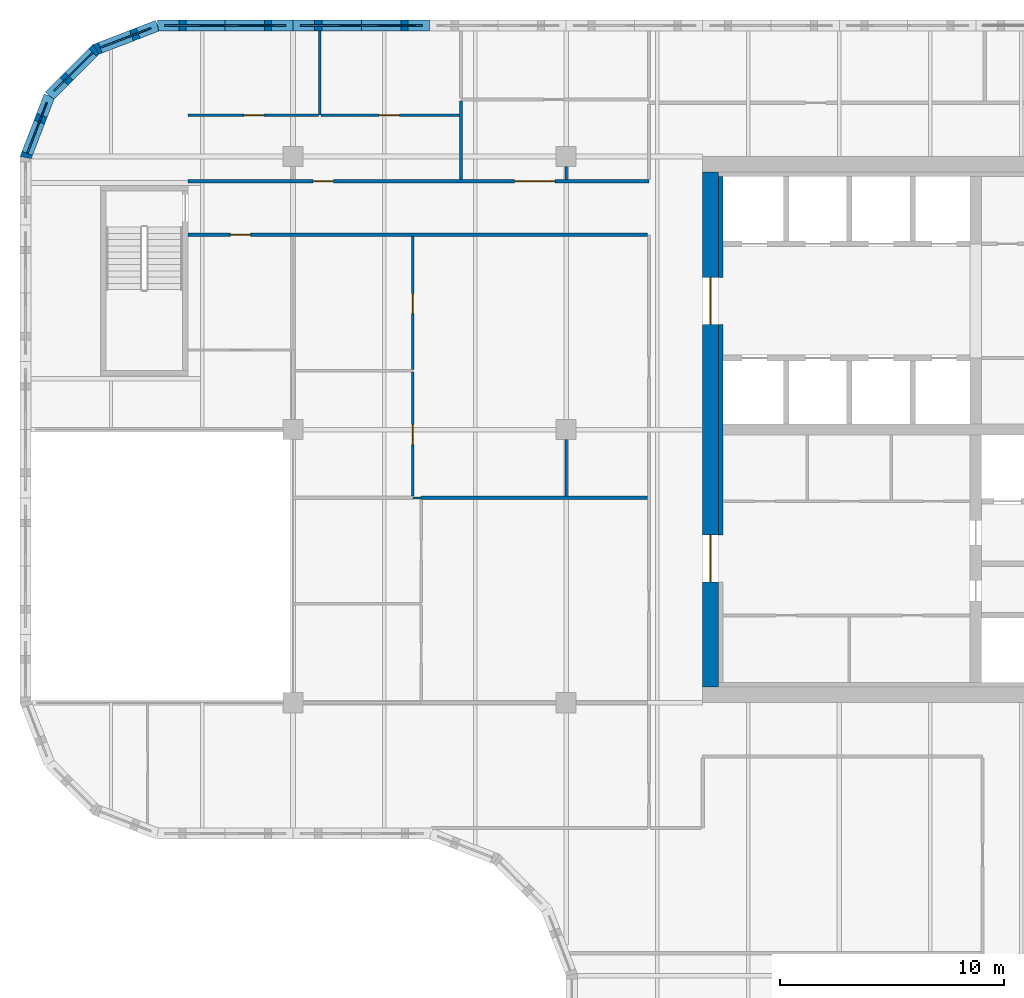
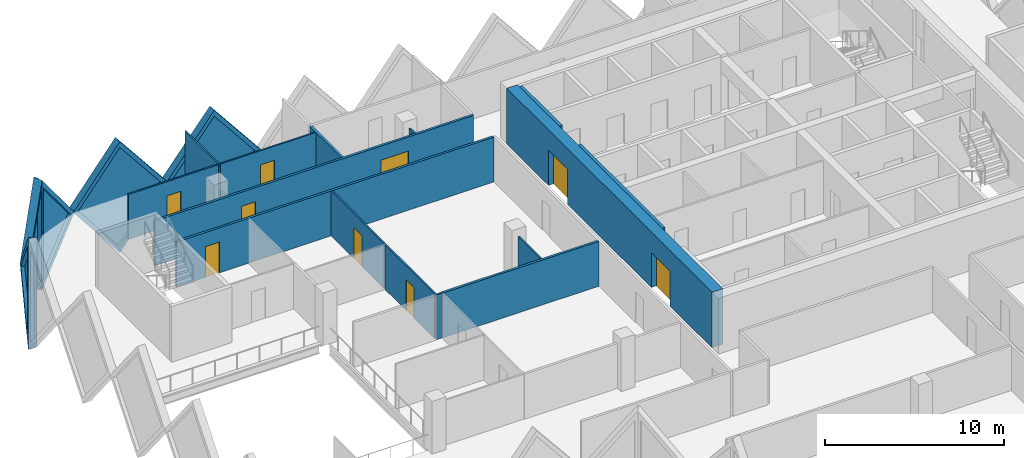
# One storey, part 7 of 12: 20 walls, 9 doors, 5 plates, 14 openings.
"""IFC4 building model written with IfcOpenShell, lengths in metres."""

from ifc_helpers import new_model, si_unit, direction, frame, frame_2d, origin, place, context, subcontext, project, spatial, polyline, rectangle, outline, extrude, faceted_brep, source, transform, mapped, material, layer, layer_set, type_object, element, fill, save


model = new_model("IFC4")

# Units and contexts
model_context = context("Model", 3, precision=1e-05, world=origin(), true_north=direction((0.0, 1.0)))
body_context = subcontext(model_context, "Body", "Model", "MODEL_VIEW")
ifc_project = project(units=[si_unit("LENGTHUNIT", "METRE"), si_unit("AREAUNIT", "SQUARE_METRE"), si_unit("VOLUMEUNIT", "CUBIC_METRE"), si_unit("PLANEANGLEUNIT", "RADIAN"), si_unit("MASSUNIT", "GRAM", prefix="KILO")], contexts=[model_context])

# Site, building, storey
site_placement = place(None, origin())
site = spatial("IfcSite", under=ifc_project, at=site_placement, CompositionType="ELEMENT")
building_placement = place(site_placement, origin())
building = spatial("IfcBuilding", under=site, at=building_placement, Name="Tessera Gate Towers", CompositionType="ELEMENT")
storey_placement = place(building_placement, frame((0.0, 0.0, 124.0)))
storey = spatial("IfcBuildingStorey", under=building, at=storey_placement, Name="L30", CompositionType="ELEMENT", Elevation=124.0)

# Wall, openings, doors
ifc_material_1 = material(Name="Concrete C60/75", Category="concrete")
ifc_layer_1 = layer(ifc_material_1, 0.699951171875)
ifc_layer_set_1 = layer_set([ifc_layer_1], Name="CORE SHEAR WALL 700 C60/75")
wall_type_1 = type_object("IfcWallType", Name="CORE SHEAR WALL 700 C60/75", PredefinedType="SHEAR", material=ifc_layer_set_1)
wall_1_placement = place(storey_placement, frame((30.85009765625, 25.10009765625, 0.0), z_axis=(0.0, 0.0, 1.0), x_axis=(0.0, 1.0, 0.0)))
wall_1 = element("IfcWall", 1, at=wall_1_placement, inside=storey, type_object=wall_type_1, Name="Core wall W L30", PredefinedType="SHEAR", context=body_context, shape_type="SweptSolid", body=[
    extrude(rectangle(XDim=23.0, YDim=0.699951171875, at=frame_2d((11.5, 0.0))), origin(), (0.0, 0.0, 1.0), 3.800048828125),
])
shared_shape_1 = source(origin(), body_context, "Body", "SweptSolid", [
    extrude(rectangle(XDim=2.10009765625, YDim=2.39990234375, at=frame_2d((1.050048828125, 1.199951171875))), frame((0.0, 0.35986328125, 0.0), z_axis=(0.0, -1.0, 0.0), x_axis=(1.0, 0.0, 0.0)), (0.0, 0.0, 1.0), 0.719970703125),
])
opening_1_placement = place(wall_1_placement, frame((4.699951171875, 0.0, 0.0)))
opening_1 = element("IfcOpeningElement", 2, at=opening_1_placement, cuts=wall_1, Name="Opening DD-T1-21-02", PredefinedType="OPENING", context=body_context, shape_type="MappedRepresentation", body=[
    mapped(shared_shape_1, transform((0.0, 0.0, 0.0), scale=1.0)),
])
opening_2_placement = place(wall_1_placement, frame((16.199951171875, 0.0, 0.0)))
opening_2 = element("IfcOpeningElement", 3, at=opening_2_placement, cuts=wall_1, Name="Opening DD-T1-21-03", PredefinedType="OPENING", context=body_context, shape_type="MappedRepresentation", body=[
    mapped(shared_shape_1, transform((0.0, 0.0, 0.0), scale=1.0)),
])
ifc_material_2 = material(Name="Hollow steel fire door", Category="steel")
door_type_1 = type_object("IfcDoorType", Name="CORE DOOR DD 2100x2400", OperationType="NOTDEFINED", PredefinedType="DOOR", material=ifc_material_2)
shared_shape_2 = source(origin(), body_context, "Body", "SweptSolid", [
    extrude(rectangle(XDim=2.10009765625, YDim=2.39990234375, at=frame_2d((1.050048828125, 1.199951171875))), frame((0.0, 0.02490234375, 0.0), z_axis=(0.0, -1.0, 0.0), x_axis=(1.0, 0.0, 0.0)), (0.0, 0.0, 1.0), 0.050048828125),
])
door_1_placement = place(opening_1_placement, origin())
door_1 = element("IfcDoor", 4, at=door_1_placement, inside=storey, type_object=door_type_1, Name="Core entrance door", OperationType="DOUBLE_DOOR_SINGLE_SWING", OverallHeight=2.39990234375, OverallWidth=2.10009765625, PredefinedType="DOOR", context=body_context, shape_type="MappedRepresentation", body=[
    mapped(shared_shape_2, transform((0.0, 0.0, 0.0), scale=1.0)),
])
fill(opening_1, door_1)
door_2_placement = place(opening_2_placement, origin())
door_2 = element("IfcDoor", 5, at=door_2_placement, inside=storey, type_object=door_type_1, Name="Core entrance door", OperationType="DOUBLE_DOOR_SINGLE_SWING", OverallHeight=2.39990234375, OverallWidth=2.10009765625, PredefinedType="DOOR", context=body_context, shape_type="MappedRepresentation", body=[
    mapped(shared_shape_2, transform((0.0, 0.0, 0.0), scale=1.0)),
])
fill(opening_2, door_2)

# Walls
ifc_material_3 = material(Name="Concrete C60/75", Category="concrete")
ifc_layer_2 = layer(ifc_material_3, 0.199951171875)
ifc_layer_set_2 = layer_set([ifc_layer_2], Name="CORE WALL THICKENING 200")
wall_type_2 = type_object("IfcWallType", Name="CORE WALL THICKENING 200", PredefinedType="SOLIDWALL", material=ifc_layer_set_2)
wall_2_placement = place(storey_placement, frame((31.300048828125, 31.89990234375, 0.0), z_axis=(0.0, 0.0, 1.0), x_axis=(0.0, 1.0, 0.0)))
element("IfcWall", 6, at=wall_2_placement, inside=storey, type_object=wall_type_2, Name="Core wall thickening W L30", PredefinedType="SOLIDWALL", context=body_context, shape_type="SweptSolid", body=[
    extrude(rectangle(XDim=9.400146484375, YDim=0.199951171875, at=frame_2d((4.7001953125, 0.0))), origin(), (0.0, 0.0, 1.0), 3.800048828125),
])
wall_3_placement = place(storey_placement, frame((31.300048828125, 43.39990234375, 0.0), z_axis=(0.0, 0.0, 1.0), x_axis=(0.0, 1.0, 0.0)))
element("IfcWall", 7, at=wall_3_placement, inside=storey, type_object=wall_type_2, Name="Core wall thickening W L30", PredefinedType="SOLIDWALL", context=body_context, shape_type="SweptSolid", body=[
    extrude(rectangle(XDim=4.5, YDim=0.199951171875, at=frame_2d((2.25, 0.0))), origin(), (0.0, 0.0, 1.0), 3.800048828125),
])

# Wall, opening, door
ifc_material_4 = material(Name="Gypsum board on steel studs, mineral wool", Category="steel")
ifc_layer_3 = layer(ifc_material_4, 0.14990234375)
ifc_layer_set_3 = layer_set([ifc_layer_3], Name="CORRIDOR WALL 150")
wall_type_3 = type_object("IfcWallType", Name="CORRIDOR WALL 150", PredefinedType="PARTITIONING", material=ifc_layer_set_3)
wall_4_placement = place(storey_placement, frame((28.02392578125, 45.300048828125, 0.0), z_axis=(0.0, 0.0, 1.0), x_axis=(-1.0, 0.0, 0.0)))
wall_4 = element("IfcWall", 8, at=wall_4_placement, inside=storey, type_object=wall_type_3, Name="T1-L30-PW-037", PredefinedType="PARTITIONING", context=body_context, shape_type="SweptSolid", body=[
    extrude(rectangle(XDim=20.52392578125, YDim=0.14990234375, at=frame_2d((10.261962890625, 0.0))), origin(), (0.0, 0.0, 1.0), 3.06689453125),
])
shared_shape_3 = source(origin(), body_context, "Body", "SweptSolid", [
    extrude(rectangle(XDim=0.89990234375, YDim=2.10009765625, at=frame_2d((0.449951171875, 1.050048828125))), frame((0.0, 0.0849609375, 0.0), z_axis=(0.0, -1.0, 0.0), x_axis=(1.0, 0.0, 0.0)), (0.0, 0.0, 1.0), 0.169921875),
])
opening_3_placement = place(wall_4_placement, frame((17.72412109375, 0.0, 0.0)))
opening_3 = element("IfcOpeningElement", 9, at=opening_3_placement, cuts=wall_4, Name="Opening D890FD60-A11-02", PredefinedType="OPENING", context=body_context, shape_type="MappedRepresentation", body=[
    mapped(shared_shape_3, transform((0.0, 0.0, 0.0), scale=1.0)),
])
ifc_material_5 = material(Name="Timber door leaf in steel frame", Category="steel")
door_type_2 = type_object("IfcDoorType", Name="CORRIDOR DOOR 900 FD60", OperationType="NOTDEFINED", PredefinedType="DOOR", material=ifc_material_5)
shared_shape_4 = source(origin(), body_context, "Body", "SweptSolid", [
    extrude(rectangle(XDim=0.89990234375, YDim=2.10009765625, at=frame_2d((0.449951171875, 1.050048828125))), frame((0.0, 0.02490234375, 0.0), z_axis=(0.0, -1.0, 0.0), x_axis=(1.0, 0.0, 0.0)), (0.0, 0.0, 1.0), 0.050048828125),
])
door_3_placement = place(opening_3_placement, origin())
door_3 = element("IfcDoor", 10, at=door_3_placement, inside=storey, type_object=door_type_2, Name="T1-L30-PD-005", OperationType="SINGLE_SWING_RIGHT", OverallHeight=2.10009765625, OverallWidth=0.89990234375, PredefinedType="DOOR", context=body_context, shape_type="MappedRepresentation", body=[
    mapped(shared_shape_4, transform((0.0, 0.0, 0.0), scale=1.0)),
])
fill(opening_3, door_3)

# Wall, openings, doors
wall_5_placement = place(storey_placement, frame((7.5, 47.699951171875, 0.0), z_axis=(0.0, 0.0, 1.0), x_axis=(1.0, 0.0, 0.0)))
wall_5 = element("IfcWall", 11, at=wall_5_placement, inside=storey, type_object=wall_type_3, Name="T1-L30-PW-038", PredefinedType="PARTITIONING", context=body_context, shape_type="SweptSolid", body=[
    extrude(rectangle(XDim=20.60009765625, YDim=0.14990234375, at=frame_2d((10.300048828125, 0.0))), origin(), (0.0, 0.0, 1.0), 3.06689453125),
])
shared_shape_5 = source(origin(), body_context, "Body", "SweptSolid", [
    extrude(rectangle(XDim=1.800048828125, YDim=2.10009765625, at=frame_2d((0.89990234375, 1.050048828125))), frame((0.0, 0.0849609375, 0.0), z_axis=(0.0, -1.0, 0.0), x_axis=(1.0, 0.0, 0.0)), (0.0, 0.0, 1.0), 0.169921875),
])
opening_4_placement = place(wall_5_placement, frame((14.60107421875, 0.0, 0.0)))
opening_4 = element("IfcOpeningElement", 12, at=opening_4_placement, cuts=wall_5, Name="Opening D2180FD60-A11-01", PredefinedType="OPENING", context=body_context, shape_type="MappedRepresentation", body=[
    mapped(shared_shape_5, transform((0.0, 0.0, 0.0), scale=1.0)),
])
opening_5_placement = place(wall_5_placement, frame((5.60009765625, 0.0, 0.0)))
opening_5 = element("IfcOpeningElement", 13, at=opening_5_placement, cuts=wall_5, Name="Opening D890FD60-A11-07", PredefinedType="OPENING", context=body_context, shape_type="MappedRepresentation", body=[
    mapped(shared_shape_3, transform((0.0, 0.0, 0.0), scale=1.0)),
])
door_4_placement = place(opening_5_placement, origin())
door_4 = element("IfcDoor", 14, at=door_4_placement, inside=storey, type_object=door_type_2, Name="T1-L30-PD-023", OperationType="SINGLE_SWING_LEFT", OverallHeight=2.10009765625, OverallWidth=0.89990234375, PredefinedType="DOOR", context=body_context, shape_type="MappedRepresentation", body=[
    mapped(shared_shape_4, transform((0.0, 0.0, 0.0), scale=1.0)),
])
fill(opening_5, door_4)
ifc_material_6 = material(Name="Timber door leaf in steel frame", Category="steel")
door_type_3 = type_object("IfcDoorType", Name="TENANCY ENTRANCE DOUBLE DOOR 1800 FD60", OperationType="NOTDEFINED", PredefinedType="DOOR", material=ifc_material_6)
shared_shape_6 = source(origin(), body_context, "Body", "SweptSolid", [
    extrude(rectangle(XDim=1.800048828125, YDim=2.10009765625, at=frame_2d((0.89990234375, 1.050048828125))), frame((0.0, 0.02490234375, 0.0), z_axis=(0.0, -1.0, 0.0), x_axis=(1.0, 0.0, 0.0)), (0.0, 0.0, 1.0), 0.050048828125),
])
door_5_placement = place(opening_4_placement, origin())
door_5 = element("IfcDoor", 15, at=door_5_placement, inside=storey, type_object=door_type_3, Name="T1-L30-PD-015", OperationType="DOUBLE_DOOR_SINGLE_SWING", OverallHeight=2.10009765625, OverallWidth=1.800048828125, PredefinedType="DOOR", context=body_context, shape_type="MappedRepresentation", body=[
    mapped(shared_shape_6, transform((0.0, 0.0, 0.0), scale=1.0)),
])
fill(opening_4, door_5)

# Wall
ifc_material_7 = material(Name="Glass", Category="glass")
ifc_layer_4 = layer(ifc_material_7, 0.10009765625)
ifc_layer_set_4 = layer_set([ifc_layer_4], Name="GLAZED PARTITION 100")
wall_type_4 = type_object("IfcWallType", Name="GLAZED PARTITION 100", PredefinedType="PARTITIONING", material=ifc_layer_set_4)
wall_6_placement = place(storey_placement, frame((17.551025390625, 33.550048828125, 0.0), z_axis=(0.0, 0.0, 1.0), x_axis=(1.0, 0.0, 0.0)))
element("IfcWall", 16, at=wall_6_placement, inside=storey, type_object=wall_type_4, Name="T1-L30-PW-028", PredefinedType="PARTITIONING", context=body_context, shape_type="SweptSolid", body=[
    extrude(rectangle(XDim=0.373046875, YDim=0.10009765625, at=frame_2d((0.1865234375, 0.0))), origin(), (0.0, 0.0, 1.0), 3.06689453125),
])

# Wall, opening, door
wall_7_placement = place(storey_placement, frame((17.550048828125, 33.6259765625, 0.0), z_axis=(0.0, 0.0, 1.0), x_axis=(0.0, 1.0, 0.0)))
wall_7 = element("IfcWall", 17, at=wall_7_placement, inside=storey, type_object=wall_type_4, Name="T1-L30-PW-030", PredefinedType="PARTITIONING", context=body_context, shape_type="SweptSolid", body=[
    extrude(rectangle(XDim=5.54931640625, YDim=0.10009765625, at=frame_2d((2.774658203125, 0.0))), origin(), (0.0, 0.0, 1.0), 3.06689453125),
])
shared_shape_7 = source(origin(), body_context, "Body", "SweptSolid", [
    extrude(rectangle(XDim=0.89990234375, YDim=2.10009765625, at=frame_2d((0.449951171875, 1.050048828125))), frame((0.0, 0.06005859375, 0.0), z_axis=(0.0, -1.0, 0.0), x_axis=(1.0, 0.0, 0.0)), (0.0, 0.0, 1.0), 0.1201171875),
])
opening_6_placement = place(wall_7_placement, frame((2.300048828125, 0.0, 0.0)))
opening_6 = element("IfcOpeningElement", 18, at=opening_6_placement, cuts=wall_7, Name="Opening D690-A11-04", PredefinedType="OPENING", context=body_context, shape_type="MappedRepresentation", body=[
    mapped(shared_shape_7, transform((0.0, 0.0, 0.0), scale=1.0)),
])
ifc_material_8 = material(Name="Glass in aluminium frame", Category="aluminium")
door_type_4 = type_object("IfcDoorType", Name="GLAZED DOOR 900 NOT RATED", OperationType="NOTDEFINED", PredefinedType="DOOR", material=ifc_material_8)
door_6_placement = place(opening_6_placement, origin())
door_6 = element("IfcDoor", 19, at=door_6_placement, inside=storey, type_object=door_type_4, Name="T1-L30-PD-007", OperationType="SINGLE_SWING_LEFT", OverallHeight=2.10009765625, OverallWidth=0.89990234375, PredefinedType="DOOR", context=body_context, shape_type="MappedRepresentation", body=[
    mapped(shared_shape_4, transform((0.0, 0.0, 0.0), scale=1.0)),
])
fill(opening_6, door_6)

wall_8_placement = place(storey_placement, frame((17.550048828125, 39.27734375, 0.0), z_axis=(0.0, 0.0, 1.0), x_axis=(0.0, 1.0, 0.0)))
wall_8 = element("IfcWall", 20, at=wall_8_placement, inside=storey, type_object=wall_type_4, Name="T1-L30-PW-034", PredefinedType="PARTITIONING", context=body_context, shape_type="SweptSolid", body=[
    extrude(rectangle(XDim=5.94677734375, YDim=0.10009765625, at=frame_2d((2.973388671875, 0.0))), origin(), (0.0, 0.0, 1.0), 3.06689453125),
])
opening_7_placement = place(wall_8_placement, frame((2.5, 0.0, 0.0)))
opening_7 = element("IfcOpeningElement", 21, at=opening_7_placement, cuts=wall_8, Name="Opening D690-A11-06", PredefinedType="OPENING", context=body_context, shape_type="MappedRepresentation", body=[
    mapped(shared_shape_7, transform((0.0, 0.0, 0.0), scale=1.0)),
])
door_7_placement = place(opening_7_placement, origin())
door_7 = element("IfcDoor", 22, at=door_7_placement, inside=storey, type_object=door_type_4, Name="T1-L30-PD-010", OperationType="SINGLE_SWING_LEFT", OverallHeight=2.10009765625, OverallWidth=0.89990234375, PredefinedType="DOOR", context=body_context, shape_type="MappedRepresentation", body=[
    mapped(shared_shape_4, transform((0.0, 0.0, 0.0), scale=1.0)),
])
fill(opening_7, door_7)

wall_9_placement = place(storey_placement, frame((7.5, 50.64990234375, 0.0), z_axis=(0.0, 0.0, 1.0), x_axis=(1.0, 0.0, 0.0)))
wall_9 = element("IfcWall", 23, at=wall_9_placement, inside=storey, type_object=wall_type_4, Name="T1-L30-PW-043", PredefinedType="PARTITIONING", context=body_context, shape_type="SweptSolid", body=[
    extrude(rectangle(XDim=5.8427734375, YDim=0.10009765625, at=frame_2d((2.92138671875, 0.0))), origin(), (0.0, 0.0, 1.0), 3.06689453125),
])
opening_8_placement = place(wall_9_placement, frame((2.5, 0.0, 0.0)))
opening_8 = element("IfcOpeningElement", 24, at=opening_8_placement, cuts=wall_9, Name="Opening D690-A11-05", PredefinedType="OPENING", context=body_context, shape_type="MappedRepresentation", body=[
    mapped(shared_shape_7, transform((0.0, 0.0, 0.0), scale=1.0)),
])
door_8_placement = place(opening_8_placement, origin())
door_8 = element("IfcDoor", 25, at=door_8_placement, inside=storey, type_object=door_type_4, Name="T1-L30-PD-008", OperationType="SINGLE_SWING_LEFT", OverallHeight=2.10009765625, OverallWidth=0.89990234375, PredefinedType="DOOR", context=body_context, shape_type="MappedRepresentation", body=[
    mapped(shared_shape_4, transform((0.0, 0.0, 0.0), scale=1.0)),
])
fill(opening_8, door_8)

wall_10_placement = place(storey_placement, frame((13.444580078125, 50.64990234375, 0.0), z_axis=(0.0, 0.0, 1.0), x_axis=(1.0, 0.0, 0.0)))
wall_10 = element("IfcWall", 26, at=wall_10_placement, inside=storey, type_object=wall_type_4, Name="T1-L30-PW-045", PredefinedType="PARTITIONING", context=body_context, shape_type="SweptSolid", body=[
    extrude(rectangle(XDim=6.179443359375, YDim=0.10009765625, at=frame_2d((3.08984375, 0.0))), origin(), (0.0, 0.0, 1.0), 3.06689453125),
])
opening_9_placement = place(wall_10_placement, frame((2.60009765625, 0.0, 0.0)))
opening_9 = element("IfcOpeningElement", 27, at=opening_9_placement, cuts=wall_10, Name="Opening D690-A11-07", PredefinedType="OPENING", context=body_context, shape_type="MappedRepresentation", body=[
    mapped(shared_shape_7, transform((0.0, 0.0, 0.0), scale=1.0)),
])
door_9_placement = place(opening_9_placement, origin())
door_9 = element("IfcDoor", 28, at=door_9_placement, inside=storey, type_object=door_type_4, Name="T1-L30-PD-011", OperationType="SINGLE_SWING_LEFT", OverallHeight=2.10009765625, OverallWidth=0.89990234375, PredefinedType="DOOR", context=body_context, shape_type="MappedRepresentation", body=[
    mapped(shared_shape_4, transform((0.0, 0.0, 0.0), scale=1.0)),
])
fill(opening_9, door_9)

# Walls
ifc_material_9 = material(Name="Gypsum board on steel studs", Category="steel")
ifc_layer_5 = layer(ifc_material_9, 0.10009765625)
ifc_layer_set_5 = layer_set([ifc_layer_5], Name="PARTITION 100")
wall_type_5 = type_object("IfcWallType", Name="PARTITION 100", PredefinedType="PARTITIONING", material=ifc_layer_set_5)
wall_11_placement = place(storey_placement, frame((24.39990234375, 36.14990234375, 0.0), z_axis=(0.0, 0.0, 1.0), x_axis=(0.0, -1.0, 0.0)))
element("IfcWall", 29, at=wall_11_placement, inside=storey, type_object=wall_type_5, Name="T1-L30-PW-031", PredefinedType="PARTITIONING", context=body_context, shape_type="SweptSolid", body=[
    extrude(rectangle(XDim=2.52490234375, YDim=0.10009765625, at=frame_2d((1.262451171875, 0.0))), origin(), (0.0, 0.0, 1.0), 3.06689453125),
])
wall_12_placement = place(storey_placement, frame((24.39990234375, 48.35009765625, 0.0), z_axis=(0.0, 0.0, 1.0), x_axis=(0.0, -1.0, 0.0)))
element("IfcWall", 30, at=wall_12_placement, inside=storey, type_object=wall_type_5, Name="T1-L30-PW-042", PredefinedType="PARTITIONING", context=body_context, shape_type="SweptSolid", body=[
    extrude(rectangle(XDim=0.5751953125, YDim=0.10009765625, at=frame_2d((0.28759765625, 0.0))), origin(), (0.0, 0.0, 1.0), 3.06689453125),
])
wall_13_placement = place(storey_placement, frame((13.39404296875, 50.64990234375, 0.0), z_axis=(0.0, 0.0, 1.0), x_axis=(0.0, 1.0, 0.0)))
element("IfcWall", 31, at=wall_13_placement, inside=storey, type_object=wall_type_5, Name="T1-L30-PW-044", PredefinedType="PARTITIONING", context=body_context, shape_type="SweptSolid", body=[
    extrude(rectangle(XDim=3.75, YDim=0.10009765625, at=frame_2d((1.875, 0.0))), origin(), (0.0, 0.0, 1.0), 3.06689453125),
])
ifc_material_10 = material(Name="Gypsum board on steel studs, mineral wool", Category="steel")
ifc_layer_6 = layer(ifc_material_10, 0.14990234375)
ifc_layer_set_6 = layer_set([ifc_layer_6], Name="TENANCY WALL 150")
wall_type_6 = type_object("IfcWallType", Name="TENANCY WALL 150", PredefinedType="PARTITIONING", material=ifc_layer_set_6)
wall_14_placement = place(storey_placement, frame((17.925048828125, 33.550048828125, 0.0), z_axis=(0.0, 0.0, 1.0), x_axis=(1.0, 0.0, 0.0)))
element("IfcWall", 32, at=wall_14_placement, inside=storey, type_object=wall_type_6, Name="T1-L30-PW-029", PredefinedType="PARTITIONING", context=body_context, shape_type="SweptSolid", body=[
    extrude(rectangle(XDim=10.098876953125, YDim=0.14990234375, at=frame_2d((5.04931640625, 0.0))), origin(), (0.0, 0.0, 1.0), 3.06689453125),
])
wall_15_placement = place(storey_placement, frame((19.699951171875, 47.77587890625, 0.0), z_axis=(0.0, 0.0, 1.0), x_axis=(0.0, 1.0, 0.0)))
element("IfcWall", 33, at=wall_15_placement, inside=storey, type_object=wall_type_6, Name="T1-L30-PW-039", PredefinedType="PARTITIONING", context=body_context, shape_type="SweptSolid", body=[
    extrude(rectangle(XDim=3.498046875, YDim=0.14990234375, at=frame_2d((1.7490234375, 0.0))), origin(), (0.0, 0.0, 1.0), 3.06689453125),
])

# Wall, opening, plate
ifc_material_11 = material(Name="Precast concrete C60/75 white", Category="concrete")
ifc_layer_7 = layer(ifc_material_11, 0.5)
ifc_layer_set_7 = layer_set([ifc_layer_7], Name="TS1 tessera")
wall_type_7 = type_object("IfcWallType", Name="TS1 tessera", PredefinedType="SOLIDWALL", material=ifc_layer_set_7)
shared_shape_8 = source(origin(), body_context, "Body", "SweptSolid", [
    extrude(outline(polyline([(3.050048828125, 0.0), (6.10009765625, 3.800048828125), (3.050048828125, 7.60009765625), (0.0, 3.800048828125), (3.050048828125, 0.0)])), frame((0.0, 0.25, 0.0), z_axis=(0.0, -1.0, 0.0), x_axis=(1.0, 0.0, 0.0)), (0.0, 0.0, 1.0), 0.5),
])
wall_16_placement = place(storey_placement, frame((18.300048828125, 54.64990234375, -3.800048828125), z_axis=(0.0, 0.0, 1.0), x_axis=(-1.0, 0.0, 0.0)))
wall_16 = element("IfcWall", 34, at=wall_16_placement, inside=storey, type_object=wall_type_7, Name="Precast tessera T1 TS1-0499", PredefinedType="SOLIDWALL", context=body_context, shape_type="MappedRepresentation", body=[
    mapped(shared_shape_8, transform((0.0, 0.0, 0.0), scale=1.0)),
])
shared_shape_9 = source(origin(), body_context, "Body", "SweptSolid", [
    extrude(outline(polyline([(3.050048828125, 0.3994140625), (5.779541015625, 3.800048828125), (3.050048828125, 7.20068359375), (0.320556640625, 3.800048828125), (3.050048828125, 0.3994140625)])), frame((0.0, 0.260009765625, 0.0), z_axis=(0.0, -1.0, 0.0), x_axis=(1.0, 0.0, 0.0)), (0.0, 0.0, 1.0), 0.52001953125),
])
opening_10_placement = place(wall_16_placement, origin())
opening_10 = element("IfcOpeningElement", 35, at=opening_10_placement, cuts=wall_16, Name="Opening T1-PL2-1011", PredefinedType="OPENING", context=body_context, shape_type="MappedRepresentation", body=[
    mapped(shared_shape_9, transform((0.0, 0.0, 0.0), scale=1.0)),
])
ifc_material_12 = material(Name="Low-e laminated glass", Category="glass")
ifc_layer_8 = layer(ifc_material_12, 0.06005859375)
ifc_layer_set_8 = layer_set([ifc_layer_8], Name="PL2 rhombic pane")
plate_type = type_object("IfcPlateType", Name="PL2 rhombic pane", PredefinedType="SHEET", material=ifc_layer_set_8)
shared_shape_10 = source(origin(), body_context, "Body", "SweptSolid", [
    extrude(outline(polyline([(3.050048828125, 0.3994140625), (5.779541015625, 3.800048828125), (3.050048828125, 7.20068359375), (0.320556640625, 3.800048828125), (3.050048828125, 0.3994140625)])), frame((0.0, 0.030029296875, 0.0), z_axis=(0.0, -1.0, 0.0), x_axis=(1.0, 0.0, 0.0)), (0.0, 0.0, 1.0), 0.06005859375),
])
plate_1_placement = place(opening_10_placement, origin())
plate_1 = element("IfcPlate", 36, at=plate_1_placement, inside=storey, type_object=plate_type, Name="Glass pane T1 PL2-1011", PredefinedType="SHEET", context=body_context, shape_type="MappedRepresentation", body=[
    mapped(shared_shape_10, transform((0.0, 0.0, 0.0), scale=1.0)),
])
fill(opening_10, plate_1)

shared_shape_11 = source(origin(), body_context, "Body", "Brep", [
    faceted_brep([(3.050048828125, -0.25, 0.0), (6.053466796875, -0.25, 3.800048828125), (3.050048828125, -0.25, 7.60009765625), (0.0, -0.25, 3.800048828125), (0.0, 0.25, 3.800048828125), (3.050048828125, 0.25, 7.60009765625), (6.0068359375, 0.25, 3.85888671875), (6.0068359375, 0.25, 3.7412109375), (3.050048828125, 0.25, 0.0), (6.053466796875, 0.0, 3.800048828125)], [[[0, 1, 2, 3]], [[4, 5, 6, 7, 8]], [[8, 7, 9, 1, 0]], [[6, 5, 2, 1, 9]], [[5, 4, 3, 2]], [[4, 8, 0, 3]], [[9, 7, 6]]]),
])
wall_17_placement = place(storey_placement, frame((12.199951171875, 54.64990234375, -3.800048828125), z_axis=(0.0, 0.0, 1.0), x_axis=(-1.0, 0.0, 0.0)))
wall_17 = element("IfcWall", 37, at=wall_17_placement, inside=storey, type_object=wall_type_7, Name="Precast tessera T1 TS1-0500", PredefinedType="SOLIDWALL", context=body_context, shape_type="MappedRepresentation", body=[
    mapped(shared_shape_11, transform((0.0, 0.0, 0.0), scale=1.0)),
])
shared_shape_12 = source(origin(), body_context, "Body", "SweptSolid", [
    extrude(outline(polyline([(3.048583984375, 0.4013671875), (5.73486328125, 3.800048828125), (3.048583984375, 7.19873046875), (0.320556640625, 3.800048828125), (3.048583984375, 0.4013671875)])), frame((0.0, 0.260009765625, 0.0), z_axis=(0.0, -1.0, 0.0), x_axis=(1.0, 0.0, 0.0)), (0.0, 0.0, 1.0), 0.52001953125),
])
opening_11_placement = place(wall_17_placement, origin())
opening_11 = element("IfcOpeningElement", 38, at=opening_11_placement, cuts=wall_17, Name="Opening T1-PL2-1012", PredefinedType="OPENING", context=body_context, shape_type="MappedRepresentation", body=[
    mapped(shared_shape_12, transform((0.0, 0.0, 0.0), scale=1.0)),
])
shared_shape_13 = source(origin(), body_context, "Body", "SweptSolid", [
    extrude(outline(polyline([(3.048583984375, 0.4013671875), (5.73486328125, 3.800048828125), (3.048583984375, 7.19873046875), (0.320556640625, 3.800048828125), (3.048583984375, 0.4013671875)])), frame((0.0, 0.030029296875, 0.0), z_axis=(0.0, -1.0, 0.0), x_axis=(1.0, 0.0, 0.0)), (0.0, 0.0, 1.0), 0.06005859375),
])
plate_2_placement = place(opening_11_placement, origin())
plate_2 = element("IfcPlate", 39, at=plate_2_placement, inside=storey, type_object=plate_type, Name="Glass pane T1 PL2-1012", PredefinedType="SHEET", context=body_context, shape_type="MappedRepresentation", body=[
    mapped(shared_shape_13, transform((0.0, 0.0, 0.0), scale=1.0)),
])
fill(opening_11, plate_2)

ifc_material_13 = material(Name="Precast concrete C60/75 white", Category="concrete")
ifc_layer_9 = layer(ifc_material_13, 0.5)
ifc_layer_set_9 = layer_set([ifc_layer_9], Name="TS3 corner tessera")
wall_type_8 = type_object("IfcWallType", Name="TS3 corner tessera", PredefinedType="SOLIDWALL", material=ifc_layer_set_9)
shared_shape_14 = source(origin(), body_context, "Body", "Brep", [
    faceted_brep([(2.950439453125, -0.25, 0.0), (3.00341796875, -0.25, 0.068359375), (3.00341796875, -0.25, 7.53173828125), (2.950439453125, -0.25, 7.60009765625), (0.0, -0.25, 3.800048828125), (0.046630859375, 0.25, 3.860107421875), (2.897705078125, 0.25, 7.531982421875), (2.897705078125, 0.25, 0.068115234375), (0.046630859375, 0.25, 3.739990234375), (2.950439453125, 0.00048828125, 0.0), (2.950439453125, 0.00048828125, 7.60009765625), (0.0, 0.0, 3.800048828125)], [[[0, 1, 2, 3, 4]], [[5, 6, 7, 8]], [[1, 0, 9]], [[10, 3, 2]], [[6, 5, 11, 4, 3, 10]], [[8, 7, 9, 0, 4, 11]], [[8, 11, 5]], [[1, 9, 7, 6, 10, 2]]]),
])
wall_18_placement = place(storey_placement, frame((6.146484375, 54.64990234375, -3.800048828125), z_axis=(0.0, 0.0, 1.0), x_axis=(-0.932997369089, -0.359883188373, 0.0)))
wall_18 = element("IfcWall", 40, at=wall_18_placement, inside=storey, type_object=wall_type_8, Name="Precast corner tessera T1 TS3-0681", PredefinedType="SOLIDWALL", context=body_context, shape_type="MappedRepresentation", body=[
    mapped(shared_shape_14, transform((0.0, 0.0, 0.0), scale=1.0)),
])
shared_shape_15 = source(origin(), body_context, "Body", "SweptSolid", [
    extrude(outline(polyline([(2.75048828125, 6.934814453125), (0.31640625, 3.800048828125), (2.75048828125, 0.665283203125), (2.75048828125, 6.934814453125)])), frame((0.0, 0.260009765625, 0.0), z_axis=(0.0, -1.0, 0.0), x_axis=(1.0, 0.0, 0.0)), (0.0, 0.0, 1.0), 0.52001953125),
])
opening_12_placement = place(wall_18_placement, origin())
opening_12 = element("IfcOpeningElement", 41, at=opening_12_placement, cuts=wall_18, Name="Opening T1-PL2-1013", PredefinedType="OPENING", context=body_context, shape_type="MappedRepresentation", body=[
    mapped(shared_shape_15, transform((0.0, 0.0, 0.0), scale=1.0)),
])
shared_shape_16 = source(origin(), body_context, "Body", "SweptSolid", [
    extrude(outline(polyline([(2.75048828125, 6.934814453125), (0.31640625, 3.800048828125), (2.75048828125, 0.665283203125), (2.75048828125, 6.934814453125)])), frame((0.0, 0.030029296875, 0.0), z_axis=(0.0, -1.0, 0.0), x_axis=(1.0, 0.0, 0.0)), (0.0, 0.0, 1.0), 0.06005859375),
])
plate_3_placement = place(opening_12_placement, origin())
plate_3 = element("IfcPlate", 42, at=plate_3_placement, inside=storey, type_object=plate_type, Name="Glass pane T1 PL2-1013", PredefinedType="SHEET", context=body_context, shape_type="MappedRepresentation", body=[
    mapped(shared_shape_16, transform((0.0, 0.0, 0.0), scale=1.0)),
])
fill(opening_12, plate_3)

shared_shape_17 = source(origin(), body_context, "Body", "Brep", [
    faceted_brep([(0.052978515625, -0.25, 0.0), (2.9970703125, -0.25, 3.800048828125), (0.052978515625, -0.25, 7.60009765625), (0.0, -0.25, 7.531982421875), (0.0, -0.25, 0.068115234375), (0.10595703125, 0.25, 7.53173828125), (2.944091796875, 0.25, 3.8681640625), (2.944091796875, 0.25, 3.73193359375), (0.10595703125, 0.25, 0.068359375), (2.9970703125, 0.000244140625, 3.800048828125), (0.052978515625, 0.0, 0.0), (0.052978515625, 0.0, 7.60009765625)], [[[0, 1, 2, 3, 4]], [[5, 6, 7, 8]], [[8, 7, 9, 1, 0, 10]], [[6, 5, 11, 2, 1, 9]], [[3, 2, 11]], [[10, 0, 4]], [[8, 10, 4, 3, 11, 5]], [[9, 7, 6]]]),
])
wall_19_placement = place(storey_placement, frame((3.43115234375, 53.62548828125, -3.800048828125), z_axis=(0.0, 0.0, 1.0), x_axis=(-0.707106781187, -0.707106781187, 0.0)))
wall_19 = element("IfcWall", 43, at=wall_19_placement, inside=storey, type_object=wall_type_8, Name="Precast corner tessera T1 TS3-0682", PredefinedType="SOLIDWALL", context=body_context, shape_type="MappedRepresentation", body=[
    mapped(shared_shape_17, transform((0.0, 0.0, 0.0), scale=1.0)),
])
shared_shape_18 = source(origin(), body_context, "Body", "SweptSolid", [
    extrude(outline(polyline([(0.2529296875, 0.666259765625), (2.680908203125, 3.800048828125), (0.2529296875, 6.933837890625), (0.2529296875, 0.666259765625)])), frame((0.0, 0.260009765625, 0.0), z_axis=(0.0, -1.0, 0.0), x_axis=(1.0, 0.0, 0.0)), (0.0, 0.0, 1.0), 0.52001953125),
])
opening_13_placement = place(wall_19_placement, origin())
opening_13 = element("IfcOpeningElement", 44, at=opening_13_placement, cuts=wall_19, Name="Opening T1-PL2-1014", PredefinedType="OPENING", context=body_context, shape_type="MappedRepresentation", body=[
    mapped(shared_shape_18, transform((0.0, 0.0, 0.0), scale=1.0)),
])
shared_shape_19 = source(origin(), body_context, "Body", "SweptSolid", [
    extrude(outline(polyline([(0.2529296875, 0.666259765625), (2.680908203125, 3.800048828125), (0.2529296875, 6.933837890625), (0.2529296875, 0.666259765625)])), frame((0.0, 0.030029296875, 0.0), z_axis=(0.0, -1.0, 0.0), x_axis=(1.0, 0.0, 0.0)), (0.0, 0.0, 1.0), 0.06005859375),
])
plate_4_placement = place(opening_13_placement, origin())
plate_4 = element("IfcPlate", 45, at=plate_4_placement, inside=storey, type_object=plate_type, Name="Glass pane T1 PL2-1014", PredefinedType="SHEET", context=body_context, shape_type="MappedRepresentation", body=[
    mapped(shared_shape_19, transform((0.0, 0.0, 0.0), scale=1.0)),
])
fill(opening_13, plate_4)

shared_shape_20 = source(origin(), body_context, "Body", "Brep", [
    faceted_brep([(2.950439453125, -0.25, 0.0), (2.9970703125, -0.25, 0.05908203125), (2.9970703125, -0.25, 7.541015625), (2.950439453125, -0.25, 7.60009765625), (0.0, -0.25, 3.800048828125), (0.052978515625, 0.25, 3.8681640625), (2.904052734375, 0.25, 7.540283203125), (2.904052734375, 0.25, 0.059814453125), (0.052978515625, 0.25, 3.73193359375), (2.950439453125, 0.00048828125, 0.0), (2.950439453125, 0.00048828125, 7.60009765625), (0.0, 0.0, 3.800048828125)], [[[0, 1, 2, 3, 4]], [[5, 6, 7, 8]], [[1, 0, 9]], [[10, 3, 2]], [[6, 5, 11, 4, 3, 10]], [[8, 7, 9, 0, 4, 11]], [[8, 11, 5]], [[1, 9, 7, 6, 10, 2]]]),
])
wall_20_placement = place(storey_placement, frame((1.31201171875, 51.50634765625, -3.800048828125), z_axis=(0.0, 0.0, 1.0), x_axis=(-0.359944998003, -0.932973525033, 0.0)))
wall_20 = element("IfcWall", 46, at=wall_20_placement, inside=storey, type_object=wall_type_8, Name="Precast corner tessera T1 TS3-0683", PredefinedType="SOLIDWALL", context=body_context, shape_type="MappedRepresentation", body=[
    mapped(shared_shape_20, transform((0.0, 0.0, 0.0), scale=1.0)),
])
opening_14_placement = place(wall_20_placement, origin())
opening_14 = element("IfcOpeningElement", 47, at=opening_14_placement, cuts=wall_20, Name="Opening T1-PL2-1015", PredefinedType="OPENING", context=body_context, shape_type="MappedRepresentation", body=[
    mapped(shared_shape_15, transform((0.0, 0.0, 0.0), scale=1.0)),
])
plate_5_placement = place(opening_14_placement, origin())
plate_5 = element("IfcPlate", 48, at=plate_5_placement, inside=storey, type_object=plate_type, Name="Glass pane T1 PL2-1015", PredefinedType="SHEET", context=body_context, shape_type="MappedRepresentation", body=[
    mapped(shared_shape_16, transform((0.0, 0.0, 0.0), scale=1.0)),
])
fill(opening_14, plate_5)

save(model, "model.ifc")
